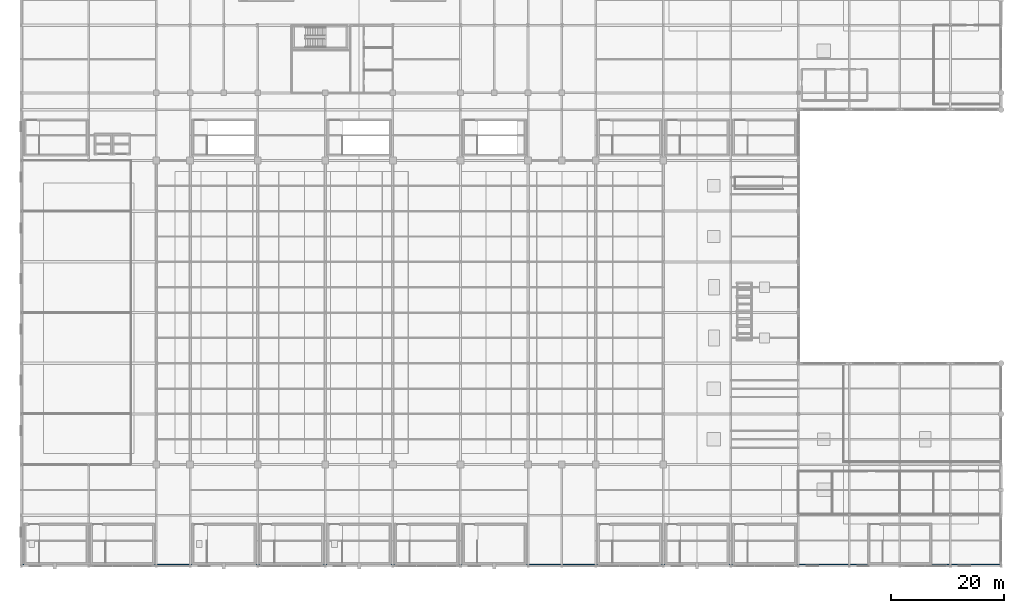
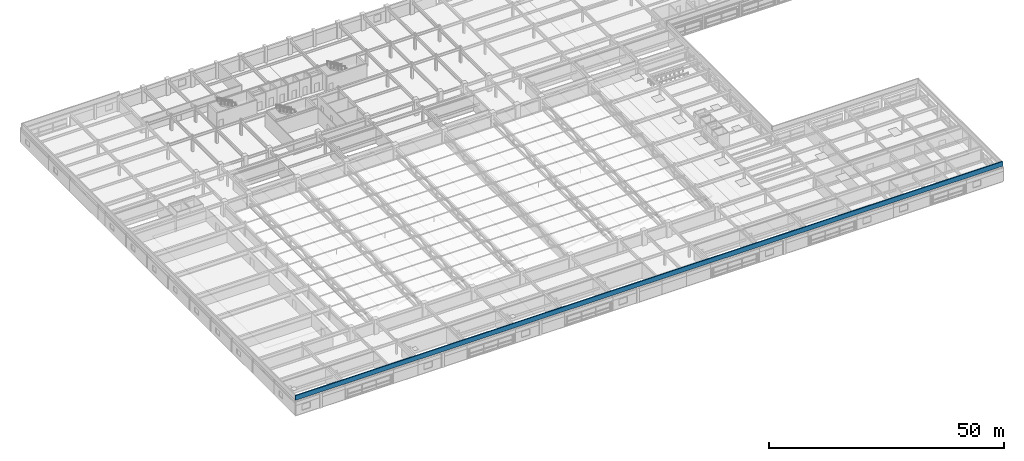
# One storey, part 91 of 108: 1 wall.
"""IFC4 building model written with IfcOpenShell, lengths in metres."""

from ifc_helpers import new_model, si_unit, direction, frame, frame_2d, origin, place, context, subcontext, project, spatial, rectangle, extrude, material, layer, layer_set, type_object, element, save


model = new_model("IFC4")

# Units and contexts
model_context = context("Model", 3, precision=1e-05, world=origin(), true_north=direction((0.0, 1.0)))
body_context = subcontext(model_context, "Body", "Model", "MODEL_VIEW")
ifc_project = project(units=[si_unit("LENGTHUNIT", "METRE"), si_unit("AREAUNIT", "SQUARE_METRE"), si_unit("VOLUMEUNIT", "CUBIC_METRE"), si_unit("PLANEANGLEUNIT", "RADIAN"), si_unit("MASSUNIT", "GRAM", prefix="KILO")], contexts=[model_context])

# Site, building, storey
site_placement = place(None, origin())
site = spatial("IfcSite", under=ifc_project, at=site_placement, CompositionType="ELEMENT")
building_placement = place(site_placement, origin())
building = spatial("IfcBuilding", under=site, at=building_placement, Name="Kaldorvane Square Convention Centre", CompositionType="ELEMENT")
storey_placement = place(building_placement, frame((0.0, 0.0, 23.399993896484375)))
storey = spatial("IfcBuildingStorey", under=building, at=storey_placement, Name="L04", CompositionType="ELEMENT", Elevation=23.399993896484375)

# Wall
ifc_material = material(Name="Concrete f'c = 35 MPa (Normalweight)", Category="concrete")
ifc_layer = layer(ifc_material, 0.279998779296875)
ifc_layer_set = layer_set([ifc_layer], Name="Concrete f'c = 35 MPa (Normalweight)")
wall_type = type_object("IfcWallType", Name="WL-PAR-280", PredefinedType="PARAPET", material=ifc_layer_set)
wall_placement = place(storey_placement, frame((0.0, 0.1399993896484375, 3.850006103515625), z_axis=(0.0, 0.0, 1.0), x_axis=(1.0, 0.0, 0.0)))
element("IfcWall", 1, at=wall_placement, inside=storey, type_object=wall_type, Name="Podium Roof Parapet S", PredefinedType="PARAPET", context=body_context, shape_type="SweptSolid", body=[
    extrude(rectangle(XDim=174.0, YDim=0.279998779296875, at=frame_2d((87.0, 0.0))), origin(), (0.0, 0.0, 1.0), 1.1999969482421875),
])

save(model, "model.ifc")
